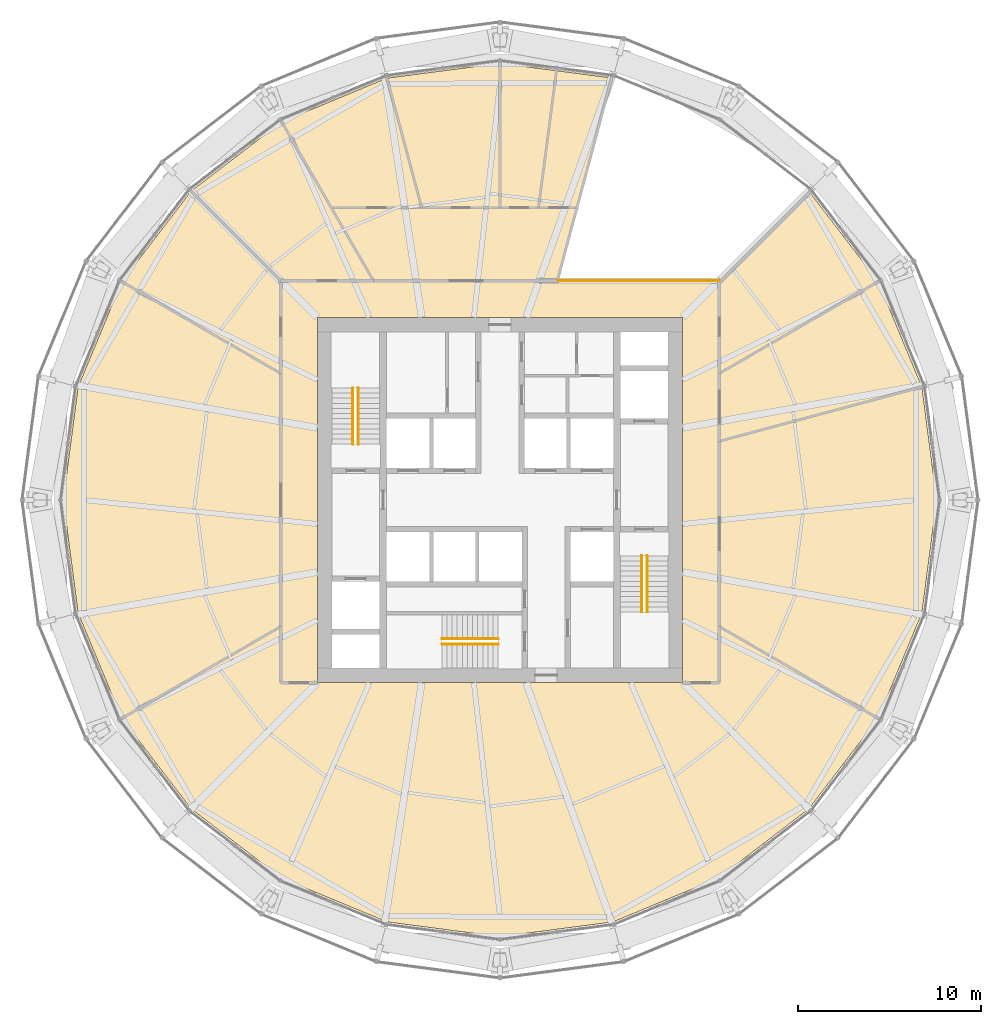
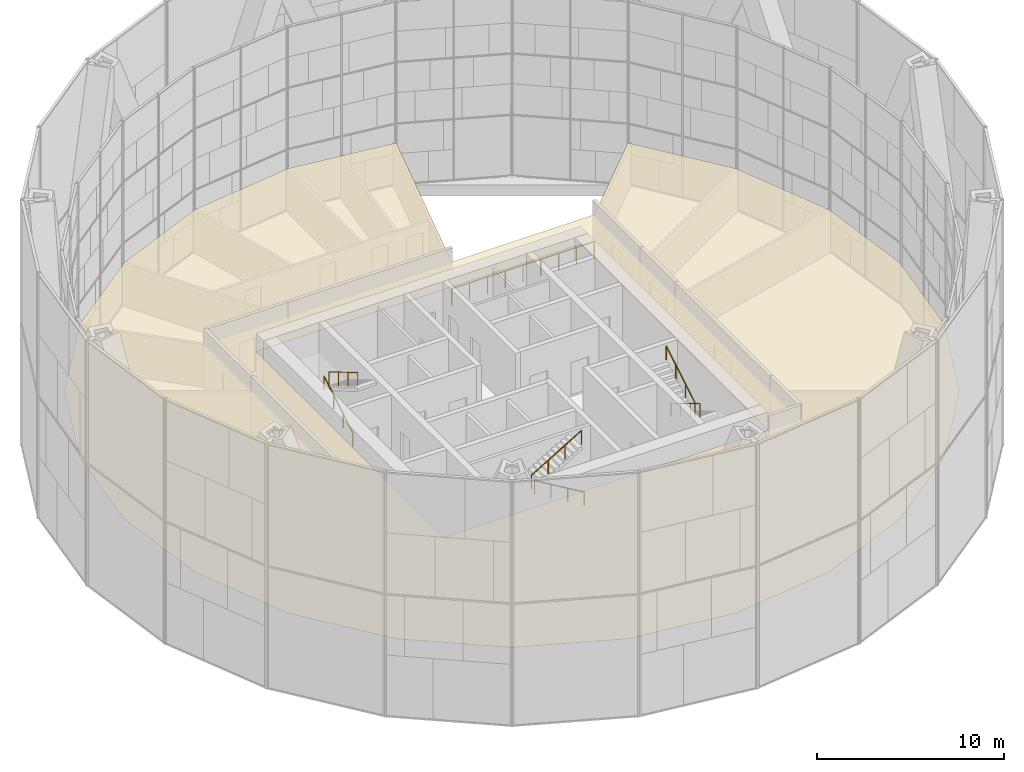
# One storey, part 26 of 26: 7 railings, 1 covering.
"""IFC4 building model written with IfcOpenShell, lengths in metres."""

from ifc_helpers import new_model, si_unit, direction, frame, origin, origin_2d, place, context, subcontext, project, spatial, polyline, circle, outline, extrude, material, layer, layer_set, type_object, element, save


model = new_model("IFC4")

# Units and contexts
model_context = context("Model", 3, precision=1e-05, world=origin(), true_north=direction((0.0, 1.0)))
body_context = subcontext(model_context, "Body", "Model", "MODEL_VIEW")
ifc_project = project(units=[si_unit("LENGTHUNIT", "METRE"), si_unit("AREAUNIT", "SQUARE_METRE"), si_unit("VOLUMEUNIT", "CUBIC_METRE"), si_unit("PLANEANGLEUNIT", "RADIAN"), si_unit("MASSUNIT", "GRAM", prefix="KILO")], contexts=[model_context])

# Site, building, storey
site_placement = place(None, origin())
site = spatial("IfcSite", under=ifc_project, at=site_placement, CompositionType="ELEMENT")
building_placement = place(site_placement, origin())
building = spatial("IfcBuilding", under=site, at=building_placement, Name="Golbaran Civic Tower", CompositionType="ELEMENT")
storey_placement = place(building_placement, frame((0.0, 0.0, 69.0)))
storey = spatial("IfcBuildingStorey", under=building, at=storey_placement, Name="L16", CompositionType="ELEMENT", Elevation=69.0)

# Railings
ifc_material_1 = material(Name="Laminated glass, steel shoe", Category="steel")
railing_type_1 = type_object("IfcRailingType", Name="GLASS BALUSTRADE 1100", PredefinedType="GUARDRAIL", material=ifc_material_1)
railing_1_placement = place(storey_placement, frame((12.0, 12.0, 0.0)))
element("IfcRailing", 1, at=railing_1_placement, inside=storey, type_object=railing_type_1, Name="Sky garden void guard L16", PredefinedType="GUARDRAIL", context=body_context, shape_type="SweptSolid", body=[
    extrude(circle(Radius=0.02392578125, at=origin_2d()), frame((0.0, 0.0, 1.076171875), z_axis=(-1.0, 0.0, 0.0), x_axis=(0.0, -1.0, 0.0)), (0.0, 0.0, 1.0), 8.78466796875),
    extrude(circle(Radius=0.02099609375, at=origin_2d()), origin(), (0.0, 0.0, 1.0), 1.052001953125),
    extrude(circle(Radius=0.02099609375, at=origin_2d()), frame((-1.09814453125, 0.0, 0.0)), (0.0, 0.0, 1.0), 1.052001953125),
    extrude(circle(Radius=0.02099609375, at=origin_2d()), frame((-2.1962890625, 0.0, 0.0)), (0.0, 0.0, 1.0), 1.052001953125),
    extrude(circle(Radius=0.02099609375, at=origin_2d()), frame((-3.294189453125, 0.0, 0.0)), (0.0, 0.0, 1.0), 1.052001953125),
    extrude(circle(Radius=0.02099609375, at=origin_2d()), frame((-4.392333984375, 0.0, 0.0)), (0.0, 0.0, 1.0), 1.052001953125),
    extrude(circle(Radius=0.02099609375, at=origin_2d()), frame((-5.490478515625, 0.0, 0.0)), (0.0, 0.0, 1.0), 1.052001953125),
    extrude(circle(Radius=0.02099609375, at=origin_2d()), frame((-6.58837890625, 0.0, 0.0)), (0.0, 0.0, 1.0), 1.052001953125),
    extrude(circle(Radius=0.02099609375, at=origin_2d()), frame((-7.6865234375, 0.0, 0.0)), (0.0, 0.0, 1.0), 1.052001953125),
    extrude(circle(Radius=0.02099609375, at=origin_2d()), frame((-8.78466796875, 0.0, 0.0)), (0.0, 0.0, 1.0), 1.052001953125),
])
ifc_material_2 = material(Name="Stainless steel", Category="steel")
railing_type_2 = type_object("IfcRailingType", Name="STAIR HANDRAIL 900", PredefinedType="HANDRAIL", material=ifc_material_2)
railing_2_placement = place(storey_placement, frame((-8.050048828125, 3.050048828125, 0.166748046875)))
element("IfcRailing", 2, at=railing_2_placement, inside=storey, type_object=railing_type_2, Name="Stair S1 handrail flight 1 L16", PredefinedType="HANDRAIL", context=body_context, shape_type="SweptSolid", body=[
    extrude(circle(Radius=0.02392578125, at=origin_2d()), frame((0.0, 0.0, 0.8759765625), z_axis=(0.0, 0.859290745958, 0.51148745235), x_axis=(-1.0, 0.0, 0.0)), (0.0, 0.0, 1.0), 3.584228515625),
    extrude(circle(Radius=0.02099609375, at=origin_2d()), origin(), (0.0, 0.0, 1.0), 0.851806640625),
    extrude(circle(Radius=0.02099609375, at=origin_2d()), frame((0.0, 1.026611328125, 0.611083984375)), (0.0, 0.0, 1.0), 0.851806640625),
    extrude(circle(Radius=0.02099609375, at=origin_2d()), frame((0.0, 2.05322265625, 1.22216796875)), (0.0, 0.0, 1.0), 0.851806640625),
    extrude(circle(Radius=0.02099609375, at=origin_2d()), frame((0.0, 3.079833984375, 1.833251953125)), (0.0, 0.0, 1.0), 0.851806640625),
])
for number, where, name in (
    (3, (-7.75, 6.1298828125, 2.166748046875), "Stair S1 handrail flight 2 L16"),
    (4, (8.050048828125, -3.050048828125, 0.166748046875), "Stair S2 handrail flight 1 L16"),
):
    element("IfcRailing", number, at=place(storey_placement, frame(where)), inside=storey, type_object=railing_type_2, Name=name, PredefinedType="HANDRAIL", context=body_context, shape_type="SweptSolid", body=[
        extrude(circle(Radius=0.02392578125, at=origin_2d()), frame((0.0, 0.0, 0.8759765625), z_axis=(0.0, -0.859290745958, 0.51148745235), x_axis=(1.0, 0.0, 0.0)), (0.0, 0.0, 1.0), 3.584228515625),
        extrude(circle(Radius=0.02099609375, at=origin_2d()), origin(), (0.0, 0.0, 1.0), 0.851806640625),
        extrude(circle(Radius=0.02099609375, at=origin_2d()), frame((0.0, -1.026611328125, 0.611083984375)), (0.0, 0.0, 1.0), 0.851806640625),
        extrude(circle(Radius=0.02099609375, at=origin_2d()), frame((0.0, -2.05322265625, 1.22216796875)), (0.0, 0.0, 1.0), 0.851806640625),
        extrude(circle(Radius=0.02099609375, at=origin_2d()), frame((0.0, -3.079833984375, 1.833251953125)), (0.0, 0.0, 1.0), 0.851806640625),
    ])
railing_3_placement = place(storey_placement, frame((7.75, -6.1298828125, 2.166748046875)))
element("IfcRailing", 5, at=railing_3_placement, inside=storey, type_object=railing_type_2, Name="Stair S2 handrail flight 2 L16", PredefinedType="HANDRAIL", context=body_context, shape_type="SweptSolid", body=[
    extrude(circle(Radius=0.02392578125, at=origin_2d()), frame((0.0, 0.0, 0.8759765625), z_axis=(0.0, 0.859290745958, 0.51148745235), x_axis=(-1.0, 0.0, 0.0)), (0.0, 0.0, 1.0), 3.584228515625),
    extrude(circle(Radius=0.02099609375, at=origin_2d()), origin(), (0.0, 0.0, 1.0), 0.851806640625),
    extrude(circle(Radius=0.02099609375, at=origin_2d()), frame((0.0, 1.026611328125, 0.611083984375)), (0.0, 0.0, 1.0), 0.851806640625),
    extrude(circle(Radius=0.02099609375, at=origin_2d()), frame((0.0, 2.05322265625, 1.22216796875)), (0.0, 0.0, 1.0), 0.851806640625),
    extrude(circle(Radius=0.02099609375, at=origin_2d()), frame((0.0, 3.079833984375, 1.833251953125)), (0.0, 0.0, 1.0), 0.851806640625),
])
railing_4_placement = place(storey_placement, frame((-0.10009765625, -7.89990234375, 0.166748046875)))
element("IfcRailing", 6, at=railing_4_placement, inside=storey, type_object=railing_type_2, Name="Stair S3 handrail flight 1 L16", PredefinedType="HANDRAIL", context=body_context, shape_type="SweptSolid", body=[
    extrude(circle(Radius=0.02392578125, at=origin_2d()), frame((0.0, 0.0, 0.8759765625), z_axis=(-0.859290745958, 0.0, 0.51148745235), x_axis=(0.0, -1.0, 0.0)), (0.0, 0.0, 1.0), 3.584228515625),
    extrude(circle(Radius=0.02099609375, at=origin_2d()), origin(), (0.0, 0.0, 1.0), 0.851806640625),
    extrude(circle(Radius=0.02099609375, at=origin_2d()), frame((-1.026611328125, 0.0, 0.611083984375)), (0.0, 0.0, 1.0), 0.851806640625),
    extrude(circle(Radius=0.02099609375, at=origin_2d()), frame((-2.05322265625, 0.0, 1.22216796875)), (0.0, 0.0, 1.0), 0.851806640625),
    extrude(circle(Radius=0.02099609375, at=origin_2d()), frame((-3.079833984375, 0.0, 1.833251953125)), (0.0, 0.0, 1.0), 0.851806640625),
])
railing_5_placement = place(storey_placement, frame((-3.179931640625, -7.60009765625, 2.166748046875)))
element("IfcRailing", 7, at=railing_5_placement, inside=storey, type_object=railing_type_2, Name="Stair S3 handrail flight 2 L16", PredefinedType="HANDRAIL", context=body_context, shape_type="SweptSolid", body=[
    extrude(circle(Radius=0.02392578125, at=origin_2d()), frame((0.0, 0.0, 0.8759765625), z_axis=(0.859290745958, 0.0, 0.51148745235), x_axis=(0.0, 1.0, 0.0)), (0.0, 0.0, 1.0), 3.584228515625),
    extrude(circle(Radius=0.02099609375, at=origin_2d()), origin(), (0.0, 0.0, 1.0), 0.851806640625),
    extrude(circle(Radius=0.02099609375, at=origin_2d()), frame((1.026611328125, 0.0, 0.611083984375)), (0.0, 0.0, 1.0), 0.851806640625),
    extrude(circle(Radius=0.02099609375, at=origin_2d()), frame((2.05322265625, 0.0, 1.22216796875)), (0.0, 0.0, 1.0), 0.851806640625),
    extrude(circle(Radius=0.02099609375, at=origin_2d()), frame((3.079833984375, 0.0, 1.833251953125)), (0.0, 0.0, 1.0), 0.851806640625),
])

# Covering
ifc_material_3 = material(Name="Mineral fibre tile on steel grid", Category="steel")
ifc_layer = layer(ifc_material_3, 0.02001953125, Name="Mineral fibre tile on steel grid")
ifc_layer_set = layer_set([ifc_layer], Name="Mineral fibre tile on steel grid")
covering_type = type_object("IfcCoveringType", Name="SUSPENDED CEILING 600 TILE 20", PredefinedType="CEILING", material=ifc_layer_set)
covering_placement = place(storey_placement, frame((0.0, 0.0, 2.800048828125)))
element("IfcCovering", 8, at=covering_placement, inside=storey, type_object=covering_type, Name="Suspended ceiling L16", PredefinedType="CEILING", context=body_context, shape_type="SweptSolid", body=[
    extrude(outline(polyline([(-23.088623046875, 6.1865234375), (-20.70068359375, 11.951416015625), (-16.90185546875, 16.90185546875), (-11.951416015625, 20.70068359375), (-6.1865234375, 23.088623046875), (0.0, 23.903076171875), (6.1865234375, 23.088623046875), (3.21533203125, 12.0), (12.0, 12.0), (16.90185546875, 16.90185546875), (20.70068359375, 11.951416015625), (23.088623046875, 6.1865234375), (23.903076171875, 0.0), (23.088623046875, -6.1865234375), (20.70068359375, -11.951416015625), (16.90185546875, -16.90185546875), (11.951416015625, -20.70068359375), (6.1865234375, -23.088623046875), (0.0, -23.903076171875), (-6.1865234375, -23.088623046875), (-11.951416015625, -20.70068359375), (-16.90185546875, -16.90185546875), (-20.70068359375, -11.951416015625), (-23.088623046875, -6.1865234375), (-23.903076171875, 0.0), (-23.088623046875, 6.1865234375)]), holes=[polyline([(-10.0, -10.0), (10.0, -10.0), (10.0, 10.0), (-10.0, 10.0), (-10.0, -10.0)])]), origin(), (0.0, 0.0, 1.0), 0.02001953125),
])

save(model, "model.ifc")
